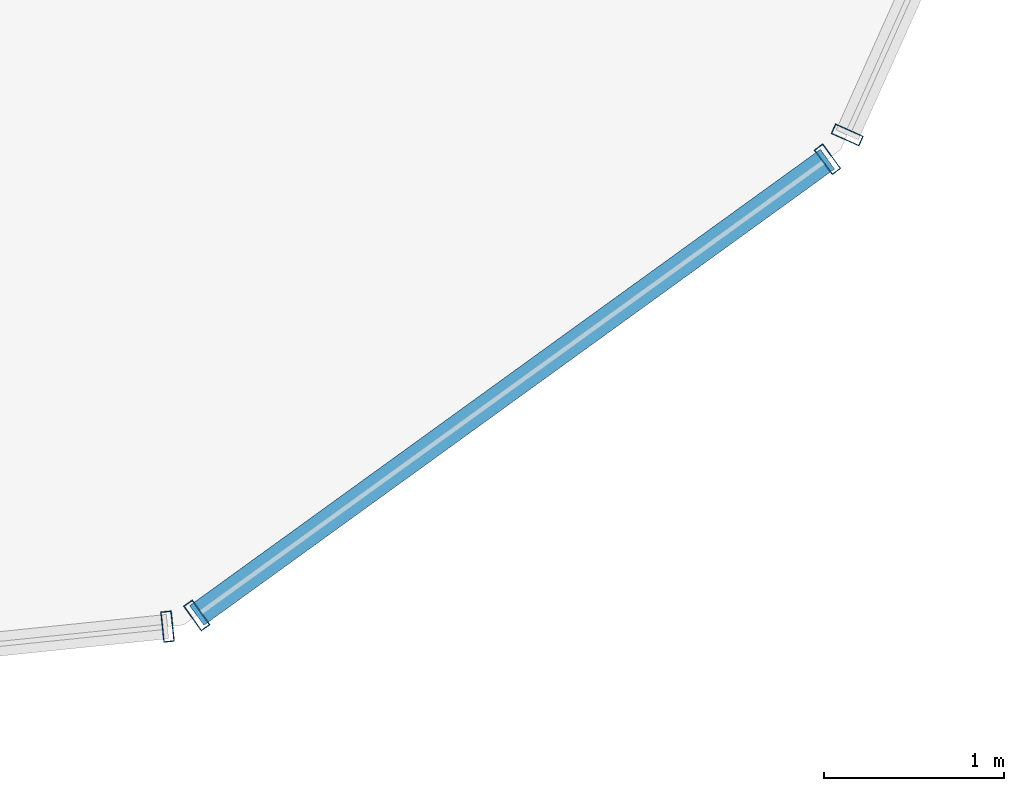
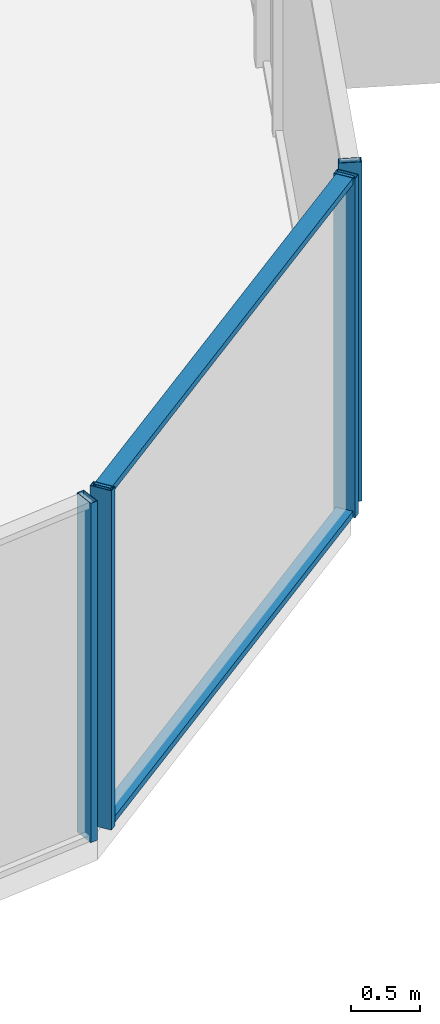
# One storey, part 14 of 37: 6 members, 3 elements without a shape of their own.
"""IFC4 building model written with IfcOpenShell, lengths in metres."""

from ifc_helpers import new_model, si_unit, direction, frame, origin, origin_2d, place, context, subcontext, project, spatial, hollow_rectangle, extrude, source, transform, mapped, material, layer, layer_set, material_profile, profile_set, type_object, element, aggregate, save


model = new_model("IFC4")

# Units and contexts
model_context = context("Model", 3, precision=1e-05, world=origin(), true_north=direction((0.0, 1.0)))
body_context = subcontext(model_context, "Body", "Model", "MODEL_VIEW")
ifc_project = project(units=[si_unit("LENGTHUNIT", "METRE"), si_unit("AREAUNIT", "SQUARE_METRE"), si_unit("VOLUMEUNIT", "CUBIC_METRE"), si_unit("PLANEANGLEUNIT", "RADIAN"), si_unit("MASSUNIT", "GRAM", prefix="KILO")], contexts=[model_context])

# Site, building, storey
site_placement = place(None, origin())
site = spatial("IfcSite", under=ifc_project, at=site_placement, CompositionType="ELEMENT")
building_placement = place(site_placement, origin())
building = spatial("IfcBuilding", under=site, at=building_placement, Name="Veraguas Prism Commons", CompositionType="ELEMENT")
storey_placement = place(building_placement, frame((0.0, 0.0, 43.550048828125)))
storey = spatial("IfcBuildingStorey", under=building, at=storey_placement, Name="L11", CompositionType="ELEMENT", Elevation=43.550048828125)

# Curtain wall, member
ifc_material = material(Name="Anodised aluminium EN AW-6063 T6", Category="aluminium")
ifc_layer = layer(ifc_material, 0.169921875, Name="Unitised Flush Curtain Wall Zone 1", Category="aluminium")
ifc_layer_set = layer_set([ifc_layer], Name="Anodised aluminium EN AW-6063 T6")
curtain_wall_type = type_object("IfcCurtainWallType", Name="Unitised Flush Curtain Wall Zone 1", PredefinedType="NOTDEFINED", material=ifc_layer_set)
curtain_wall_1_placement = place(storey_placement, origin())
curtain_wall_1 = element("IfcCurtainWall", 1, at=curtain_wall_1_placement, inside=storey, type_object=curtain_wall_type, Name="Tower Facade Curtain Wall L11-F5", PredefinedType="NOTDEFINED")
ifc_material_profile_1 = material_profile(ifc_material, hollow_rectangle(XDim=0.06005859375, YDim=0.169921875, WallThickness=0.00390625, at=origin_2d()), Name="AL60X170X4")
ifc_profile_set_1 = profile_set([ifc_material_profile_1], Name="Anodised aluminium EN AW-6063 T6")
member_type_1 = type_object("IfcMemberType", Name="Curtain Wall Mullion Lower AL 60x170x4", PredefinedType="MULLION", material=ifc_profile_set_1)
shared_shape_1 = source(origin(), body_context, "Body", "SweptSolid", [
    extrude(hollow_rectangle(XDim=0.06005859375, YDim=0.169921875, WallThickness=0.00390625, at=origin_2d()), origin(), (0.0, 0.0, 1.0), 3.0),
])
member_1_placement = place(storey_placement, frame((35.39208984375, 4.27880859375, 0.0), z_axis=(0.0, 0.0, 1.0), x_axis=(0.994738459078, 0.102447049893, 0.0)))
member_1 = element("IfcMember", 2, at=member_1_placement, type_object=member_type_1, Name="CW-Z1 Mullion 5", PredefinedType="MULLION", context=body_context, shape_type="MappedRepresentation", body=[
    mapped(shared_shape_1, transform((0.0, 0.0, 0.0), scale=1.0)),
])
aggregate(curtain_wall_1, [member_1])

curtain_wall_2_placement = place(storey_placement, origin())
curtain_wall_2 = element("IfcCurtainWall", 3, at=curtain_wall_2_placement, inside=storey, type_object=curtain_wall_type, Name="Tower Facade Curtain Wall L11-F6", PredefinedType="NOTDEFINED")
member_2_placement = place(storey_placement, frame((39.16455078125, 7.007568359375, 0.0), z_axis=(0.0, 0.0, 1.0), x_axis=(0.408649074736, 0.912691587404, 0.0)))
member_2 = element("IfcMember", 4, at=member_2_placement, type_object=member_type_1, Name="CW-Z1 Mullion 1", PredefinedType="MULLION", context=body_context, shape_type="MappedRepresentation", body=[
    mapped(shared_shape_1, transform((0.0, 0.0, 0.0), scale=1.0)),
])
aggregate(curtain_wall_2, [member_2])

# Curtain wall, members
curtain_wall_3_placement = place(storey_placement, origin())
curtain_wall_3 = element("IfcCurtainWall", 5, at=curtain_wall_3_placement, inside=storey, type_object=curtain_wall_type, Name="Chamfer Curtain Wall L11-C6", PredefinedType="NOTDEFINED")
member_3_placement = place(storey_placement, frame((35.5546875, 4.340576171875, 0.0), z_axis=(0.0, 0.0, 1.0), x_axis=(0.810263662927, 0.586065522395, 0.0)))
member_3 = element("IfcMember", 6, at=member_3_placement, type_object=member_type_1, Name="CW-Z1 Mullion 1", PredefinedType="MULLION", context=body_context, shape_type="MappedRepresentation", body=[
    mapped(shared_shape_1, transform((0.0, 0.0, 0.0), scale=1.0)),
])
member_4_placement = place(storey_placement, frame((39.054931640625, 6.87255859375, 0.0), z_axis=(0.0, 0.0, 1.0), x_axis=(0.810263662927, 0.586065522395, 0.0)))
member_4 = element("IfcMember", 7, at=member_4_placement, type_object=member_type_1, Name="CW-Z1 Mullion 2", PredefinedType="MULLION", context=body_context, shape_type="MappedRepresentation", body=[
    mapped(shared_shape_1, transform((0.0, 0.0, 0.0), scale=1.0)),
])
ifc_material_profile_2 = material_profile(ifc_material, hollow_rectangle(XDim=0.054931640625, YDim=0.135009765625, WallThickness=0.0029296875, at=origin_2d()), Name="AL55X135X3")
ifc_profile_set_2 = profile_set([ifc_material_profile_2], Name="Anodised aluminium EN AW-6063 T6")
member_type_2 = type_object("IfcMemberType", Name="Curtain Wall Transom Standard AL 55x135x3", PredefinedType="USERDEFINED", material=ifc_profile_set_2)
shared_shape_2 = source(origin(), body_context, "Body", "SweptSolid", [
    extrude(hollow_rectangle(XDim=0.054931640625, YDim=0.135009765625, WallThickness=0.0029296875, at=origin_2d()), origin(), (0.0, 0.0, 1.0), 4.320068359375),
])
member_5_placement = place(storey_placement, frame((35.5546875, 4.340576171875, 0.02734375), z_axis=(0.81023640193, 0.586103210184, 0.0), x_axis=(0.0, 0.0, 1.0)))
member_5 = element("IfcMember", 8, at=member_5_placement, type_object=member_type_2, Name="CW-Z1 Transom 1", ObjectType="TRANSOM", PredefinedType="USERDEFINED", context=body_context, shape_type="MappedRepresentation", body=[
    mapped(shared_shape_2, transform((0.0, 0.0, 0.0), scale=1.0)),
])
member_6_placement = place(storey_placement, frame((35.5546875, 4.340576171875, 2.972412109375), z_axis=(0.81023640193, 0.586103210184, 0.0), x_axis=(0.0, 0.0, 1.0)))
member_6 = element("IfcMember", 9, at=member_6_placement, type_object=member_type_2, Name="CW-Z1 Transom 2", ObjectType="TRANSOM", PredefinedType="USERDEFINED", context=body_context, shape_type="MappedRepresentation", body=[
    mapped(shared_shape_2, transform((0.0, 0.0, 0.0), scale=1.0)),
])
aggregate(curtain_wall_3, [member_3, member_4, member_5, member_6])

save(model, "model.ifc")
